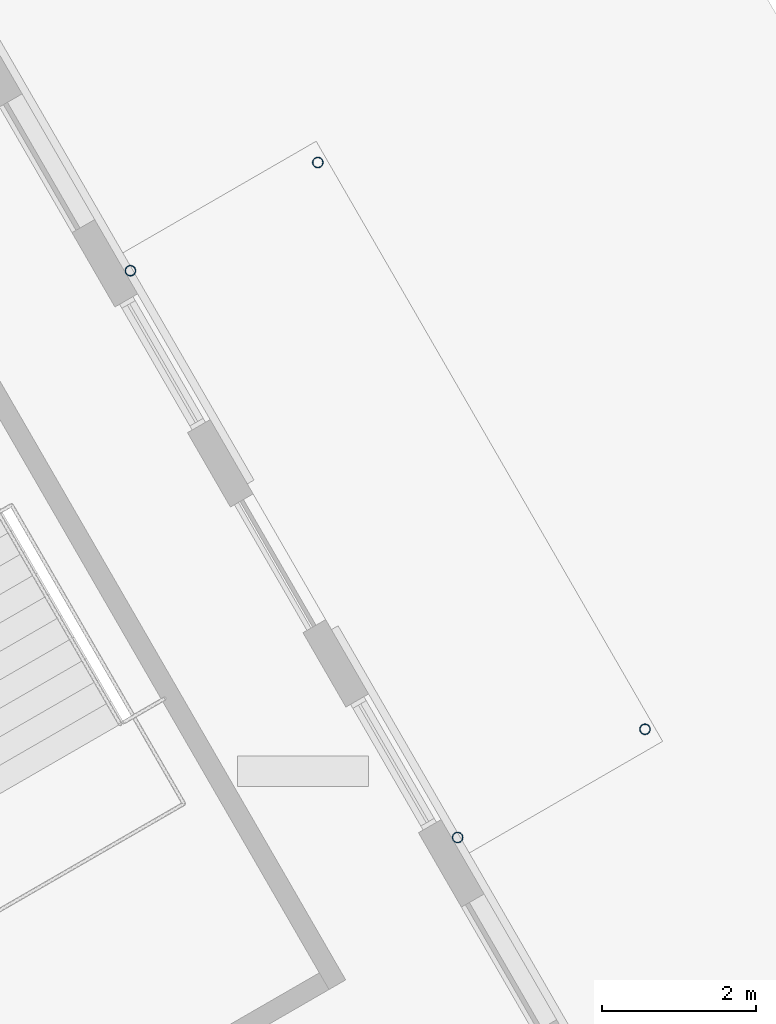
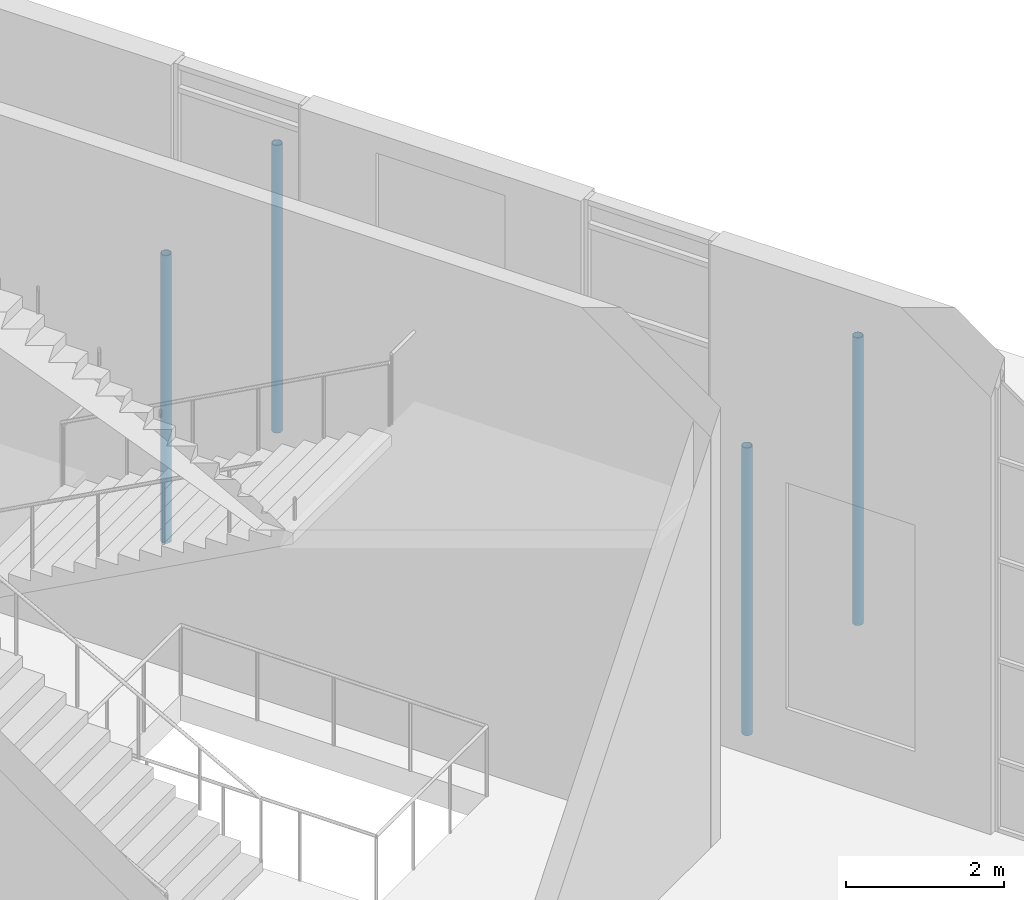
# One storey, part 3 of 24: 4 columns.
"""IFC4 building model written with IfcOpenShell, lengths in metres."""

from ifc_helpers import new_model, si_unit, direction, frame, origin, origin_2d, place, context, subcontext, project, spatial, hollow_circle, extrude, material, material_profile, profile_set, type_object, element, save


model = new_model("IFC4")

# Units and contexts
model_context = context("Model", 3, precision=1e-05, world=origin(), true_north=direction((0.0, 1.0)))
body_context = subcontext(model_context, "Body", "Model", "MODEL_VIEW")
ifc_project = project(units=[si_unit("LENGTHUNIT", "METRE"), si_unit("AREAUNIT", "SQUARE_METRE"), si_unit("VOLUMEUNIT", "CUBIC_METRE"), si_unit("PLANEANGLEUNIT", "RADIAN"), si_unit("MASSUNIT", "GRAM", prefix="KILO")], contexts=[model_context])

# Site, building, storey
site_placement = place(None, origin())
site = spatial("IfcSite", under=ifc_project, at=site_placement, CompositionType="ELEMENT")
building_placement = place(site_placement, origin())
building = spatial("IfcBuilding", under=site, at=building_placement, Name="Fogline Exchange Tower", CompositionType="ELEMENT")
storey_placement = place(building_placement, origin())
storey = spatial("IfcBuildingStorey", under=building, at=storey_placement, Name="L00", CompositionType="ELEMENT", Elevation=0.0)

# Columns
ifc_material = material(Name="Steel Q355 grade B", Category="steel")
ifc_material_profile = material_profile(ifc_material, hollow_circle(Radius=0.070068359375, WallThickness=0.008056640625, at=origin_2d()), Name="CHS 140x8")
ifc_profile_set = profile_set([ifc_material_profile], Name="Steel Q355 grade B")
column_type = type_object("IfcColumnType", Name="CC1", PredefinedType="COLUMN", material=ifc_profile_set)
for number, where, z_axis, x_axis, name in (
    (1, (40.619140625, 18.5439453125, 0.0), (0.0, 0.0, 1.0), (1.0, 0.0, 0.0), "Canopy post ST-E"),
    (2, (36.369140625, 25.9052734375, 0.0), (0.0, 0.0, 1.0), (1.0, 0.0, 0.0), "Canopy post ST-E"),
    (3, (38.185546875, 17.138916015625, 0.0), (0.0, 0.0, 1.0), (1.0, 0.0, 0.0), "Canopy post ST-E"),
    (4, (33.935546875, 24.500244140625, 0.0), (0.0, 0.0, 1.0), (1.0, 0.0, 0.0), "Canopy post ST-E"),
):
    element("IfcColumn", number, at=place(storey_placement, frame(where, z_axis=z_axis, x_axis=x_axis)), inside=storey, type_object=column_type, Name=name, PredefinedType="COLUMN", context=body_context, shape_type="SweptSolid", body=[
        extrude(hollow_circle(Radius=0.070068359375, WallThickness=0.008056640625, at=origin_2d()), origin(), (0.0, 0.0, 1.0), 4.449951171875),
    ])

save(model, "model.ifc")
